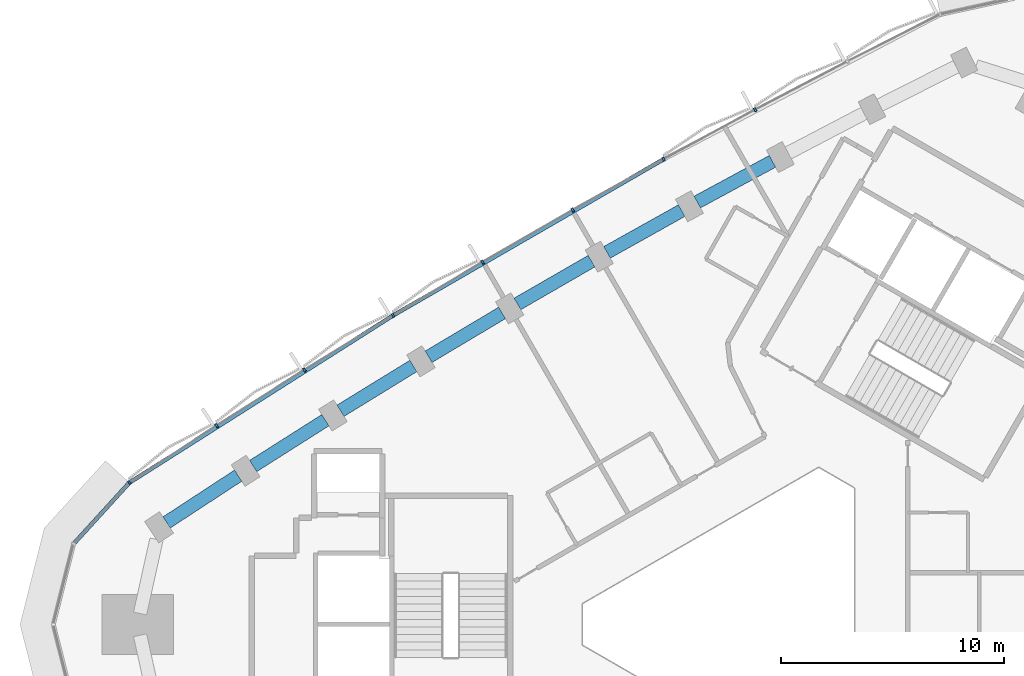
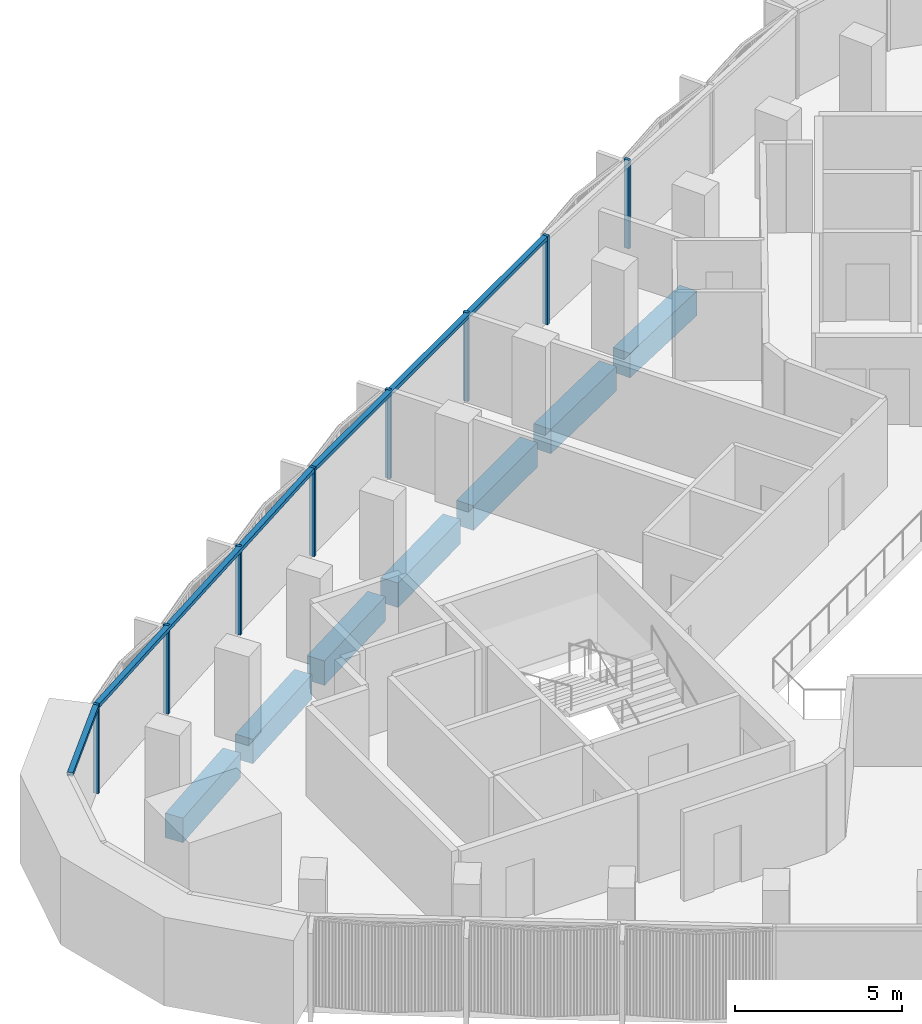
# One storey, part 4 of 13: 11 members, 7 beams, 1 element without a shape of its own.
"""IFC4 building model written with IfcOpenShell, lengths in metres."""

from ifc_helpers import new_model, si_unit, direction, frame, origin, origin_2d, place, context, subcontext, project, spatial, rectangle, extrude, material, material_profile, profile_set, type_object, element, aggregate, save


model = new_model("IFC4")

# Units and contexts
model_context = context("Model", 3, precision=1e-05, world=origin(), true_north=direction((0.0, 1.0)))
body_context = subcontext(model_context, "Body", "Model", "MODEL_VIEW")
ifc_project = project(units=[si_unit("LENGTHUNIT", "METRE"), si_unit("AREAUNIT", "SQUARE_METRE"), si_unit("VOLUMEUNIT", "CUBIC_METRE"), si_unit("PLANEANGLEUNIT", "RADIAN"), si_unit("MASSUNIT", "GRAM", prefix="KILO")], contexts=[model_context])

# Site, building, storey
site_placement = place(None, origin())
site = spatial("IfcSite", under=ifc_project, at=site_placement, CompositionType="ELEMENT")
building_placement = place(site_placement, origin())
building = spatial("IfcBuilding", under=site, at=building_placement, Name="Tamra Quay Hotel Tower", CompositionType="ELEMENT")
storey_placement = place(building_placement, frame((0.0, 0.0, 193.60009765625)))
storey = spatial("IfcBuildingStorey", under=building, at=storey_placement, Name="L48", CompositionType="ELEMENT", Elevation=193.60009765625)

# Curtain wall, members
ifc_material_1 = material(Name="Aluminium 6063 anodised dark grey", Category="aluminium")
curtain_wall_type = type_object("IfcCurtainWallType", Name="CW2 CURTAIN WALL", PredefinedType="NOTDEFINED", material=ifc_material_1)
curtain_wall_placement = place(storey_placement, origin())
curtain_wall = element("IfcCurtainWall", 1, at=curtain_wall_placement, inside=storey, type_object=curtain_wall_type, Name="CW2 north-west face L48", PredefinedType="NOTDEFINED")
ifc_material_profile_1 = material_profile(ifc_material_1, rectangle(XDim=0.179931640625, YDim=0.10009765625, at=origin_2d()), Name="MULLION 100X180")
ifc_profile_set_1 = profile_set([ifc_material_profile_1], Name="Aluminium 6063 anodised dark grey")
member_type_1 = type_object("IfcMemberType", Name="MULLION CW2 Z4", PredefinedType="MULLION", material=ifc_profile_set_1)
member_1_placement = place(storey_placement, frame((0.146240234375, 23.09619140625, 0.0), z_axis=(0.0, 0.0, 1.0), x_axis=(-0.469667944168, 0.882843147009, 0.0)))
member_1 = element("IfcMember", 2, at=member_1_placement, type_object=member_type_1, Name="CW2 mullion L48.NW.3", PredefinedType="MULLION", context=body_context, shape_type="SweptSolid", body=[
    extrude(rectangle(XDim=0.179931640625, YDim=0.10009765625, at=origin_2d()), origin(), (0.0, 0.0, 1.0), 3.25),
])
member_2_placement = place(storey_placement, frame((-3.961181640625, 20.87451171875, 0.0), z_axis=(0.0, 0.0, 1.0), x_axis=(-0.481860510023, 0.876247938017, 0.0)))
member_2 = element("IfcMember", 3, at=member_2_placement, type_object=member_type_1, Name="CW2 mullion L48.NW.4", PredefinedType="MULLION", context=body_context, shape_type="SweptSolid", body=[
    extrude(rectangle(XDim=0.179931640625, YDim=0.10009765625, at=origin_2d()), origin(), (0.0, 0.0, 1.0), 3.25),
])
member_3_placement = place(storey_placement, frame((-8.038818359375, 18.59521484375, 0.0), z_axis=(0.0, 0.0, 1.0), x_axis=(-0.49397478702, 0.869476227271, 0.0)))
member_3 = element("IfcMember", 4, at=member_3_placement, type_object=member_type_1, Name="CW2 mullion L48.NW.5", PredefinedType="MULLION", context=body_context, shape_type="SweptSolid", body=[
    extrude(rectangle(XDim=0.179931640625, YDim=0.10009765625, at=origin_2d()), origin(), (0.0, 0.0, 1.0), 3.25),
])
member_4_placement = place(storey_placement, frame((-12.08447265625, 16.25927734375, 0.0), z_axis=(0.0, 0.0, 1.0), x_axis=(-0.506001107293, 0.862532828023, 0.0)))
member_4 = element("IfcMember", 5, at=member_4_placement, type_object=member_type_1, Name="CW2 mullion L48.NW.6", PredefinedType="MULLION", context=body_context, shape_type="SweptSolid", body=[
    extrude(rectangle(XDim=0.179931640625, YDim=0.10009765625, at=origin_2d()), origin(), (0.0, 0.0, 1.0), 3.25),
])
member_5_placement = place(storey_placement, frame((-16.09716796875, 13.86767578125, 0.0), z_axis=(0.0, 0.0, 1.0), x_axis=(-0.517922719325, 0.85542741177, 0.0)))
member_5 = element("IfcMember", 6, at=member_5_placement, type_object=member_type_1, Name="CW2 mullion L48.NW.7", PredefinedType="MULLION", context=body_context, shape_type="SweptSolid", body=[
    extrude(rectangle(XDim=0.179931640625, YDim=0.10009765625, at=origin_2d()), origin(), (0.0, 0.0, 1.0), 3.25),
])
member_6_placement = place(storey_placement, frame((-20.074951171875, 11.42138671875, 0.0), z_axis=(0.0, 0.0, 1.0), x_axis=(-0.529730620783, 0.848165944497, 0.0)))
member_6 = element("IfcMember", 7, at=member_6_placement, type_object=member_type_1, Name="CW2 mullion L48.NW.8", PredefinedType="MULLION", context=body_context, shape_type="SweptSolid", body=[
    extrude(rectangle(XDim=0.179931640625, YDim=0.10009765625, at=origin_2d()), origin(), (0.0, 0.0, 1.0), 3.25),
])
member_7_placement = place(storey_placement, frame((-24.019775390625, 8.91943359375, 0.0), z_axis=(0.0, 0.0, 1.0), x_axis=(-0.541421307524, 0.840751430423, 0.0)))
member_7 = element("IfcMember", 8, at=member_7_placement, type_object=member_type_1, Name="CW2 mullion L48.NW.9", PredefinedType="MULLION", context=body_context, shape_type="SweptSolid", body=[
    extrude(rectangle(XDim=0.179931640625, YDim=0.10009765625, at=origin_2d()), origin(), (0.0, 0.0, 1.0), 3.25),
])
member_8_placement = place(storey_placement, frame((-27.928955078125, 6.36376953125, 0.0), z_axis=(0.0, 0.0, 1.0), x_axis=(-0.648381091282, 0.76131593998, 0.0)))
member_8 = element("IfcMember", 9, at=member_8_placement, type_object=member_type_1, Name="CW2 mullion L48.NW.10", PredefinedType="MULLION", context=body_context, shape_type="SweptSolid", body=[
    extrude(rectangle(XDim=0.179931640625, YDim=0.10009765625, at=origin_2d()), origin(), (0.0, 0.0, 1.0), 3.25),
])

# Beams
ifc_material_2 = material(Name="Concrete M60", Category="concrete")
ifc_material_profile_2 = material_profile(ifc_material_2, rectangle(XDim=0.60009765625, YDim=0.89990234375, at=origin_2d()), Name="SPANDREL BEAM RC 600x900")
ifc_profile_set_2 = profile_set([ifc_material_profile_2], Name="Concrete M60")
beam_type = type_object("IfcBeamType", Name="SPANDREL BEAM RC 600x900", PredefinedType="SPANDREL", material=ifc_profile_set_2)
beam_1_placement = place(storey_placement, frame((0.927490234375, 20.77783203125, -0.800048828125), z_axis=(-0.879589264525, -0.475733881211, 0.0), x_axis=(0.475733881211, -0.879589264525, 0.0)))
element("IfcBeam", 10, at=beam_1_placement, inside=storey, type_object=beam_type, Name="BM-SP4-013-L48", PredefinedType="SPANDREL", context=body_context, shape_type="SweptSolid", body=[
    extrude(rectangle(XDim=0.60009765625, YDim=0.89990234375, at=origin_2d()), origin(), (0.0, 0.0, 1.0), 3.838134765625),
])
for number, where, z_axis, x_axis, name in (
    (11, (-3.1494140625, 18.56640625, -0.800048828125), (-0.872890885292, -0.487915466422, 0.0), (0.487915466422, -0.872890885292, 0.0), "BM-SP4-014-L48"),
    (12, (-7.194580078125, 16.298828125, -0.800048828125), (-0.866022424722, -0.500005159851, 0.0), (0.500005159851, -0.866022424722, 0.0), "BM-SP4-015-L48"),
):
    element("IfcBeam", number, at=place(storey_placement, frame(where, z_axis=z_axis, x_axis=x_axis)), inside=storey, type_object=beam_type, Name=name, PredefinedType="SPANDREL", context=body_context, shape_type="SweptSolid", body=[
        extrude(rectangle(XDim=0.60009765625, YDim=0.89990234375, at=origin_2d()), origin(), (0.0, 0.0, 1.0), 3.83740234375),
    ])
beam_2_placement = place(storey_placement, frame((-11.2080078125, 13.975341796875, -0.800048828125), z_axis=(-0.858982487636, -0.512004966708, 0.0), x_axis=(0.512004966708, -0.858982487636, 0.0)))
element("IfcBeam", 13, at=beam_2_placement, inside=storey, type_object=beam_type, Name="BM-SP4-016-L48", PredefinedType="SPANDREL", context=body_context, shape_type="SweptSolid", body=[
    extrude(rectangle(XDim=0.60009765625, YDim=0.89990234375, at=origin_2d()), origin(), (0.0, 0.0, 1.0), 3.837646484375),
])
beam_3_placement = place(storey_placement, frame((-15.188720703125, 11.59619140625, -0.800048828125), z_axis=(-0.851817714835, -0.523838315411, 0.0), x_axis=(0.523838315411, -0.851817714835, 0.0)))
element("IfcBeam", 14, at=beam_3_placement, inside=storey, type_object=beam_type, Name="BM-SP4-017-L48", PredefinedType="SPANDREL", context=body_context, shape_type="SweptSolid", body=[
    extrude(rectangle(XDim=0.60009765625, YDim=0.89990234375, at=origin_2d()), origin(), (0.0, 0.0, 1.0), 3.837890625),
])
for number, where, z_axis, x_axis, name in (
    (15, (-19.136474609375, 9.162109375, -0.800048828125), (-0.844469978785, -0.535602889211, 0.0), (0.535602889211, -0.844469978785, 0.0), "BM-SP4-018-L48"),
    (16, (-23.0498046875, 6.673583984375, -0.800048828125), (-0.836969613974, -0.547249362983, 0.0), (0.547249362983, -0.836969613974, 0.0), "BM-SP4-019-L48"),
):
    element("IfcBeam", number, at=place(storey_placement, frame(where, z_axis=z_axis, x_axis=x_axis)), inside=storey, type_object=beam_type, Name=name, PredefinedType="SPANDREL", context=body_context, shape_type="SweptSolid", body=[
        extrude(rectangle(XDim=0.60009765625, YDim=0.89990234375, at=origin_2d()), origin(), (0.0, 0.0, 1.0), 3.837646484375),
    ])

# Member
ifc_material_profile_3 = material_profile(ifc_material_1, rectangle(XDim=0.179931640625, YDim=0.139892578125, at=origin_2d()), Name="TRANSOM 180X140")
ifc_profile_set_3 = profile_set([ifc_material_profile_3], Name="Aluminium 6063 anodised dark grey")
member_type_2 = type_object("IfcMemberType", Name="TRANSOM CW2 Z4", PredefinedType="USERDEFINED", material=ifc_profile_set_3)
member_9_placement = place(storey_placement, frame((-4.0048828125, 20.85009765625, 3.179931640625), z_axis=(-0.866021948021, -0.50000598551, 0.0), x_axis=(0.50000598551, -0.866021948021, 0.0)))
member_9 = element("IfcMember", 17, at=member_9_placement, type_object=member_type_2, Name="CW2 transom L48.NW.4", ObjectType="TRANSOM", PredefinedType="USERDEFINED", context=body_context, shape_type="SweptSolid", body=[
    extrude(rectangle(XDim=0.179931640625, YDim=0.139892578125, at=origin_2d()), origin(), (0.0, 0.0, 1.0), 13.913330078125),
])

member_10_placement = place(storey_placement, frame((-16.1396484375, 13.841552734375, 3.179931640625), z_axis=(-0.844483603588, -0.535581406764, 0.0), x_axis=(0.535581406764, -0.844483603588, 0.0)))
member_10 = element("IfcMember", 18, at=member_10_placement, type_object=member_type_2, Name="CW2 transom L48.NW.7", ObjectType="TRANSOM", PredefinedType="USERDEFINED", context=body_context, shape_type="SweptSolid", body=[
    extrude(rectangle(XDim=0.179931640625, YDim=0.139892578125, at=origin_2d()), origin(), (0.0, 0.0, 1.0), 13.910888671875),
])

member_11_placement = place(storey_placement, frame((-27.962646484375, 6.32666015625, 3.179931640625), z_axis=(-0.673497359226, -0.739189628658, 0.0), x_axis=(0.739189628658, -0.673497359226, 0.0)))
member_11 = element("IfcMember", 19, at=member_11_placement, type_object=member_type_2, Name="CW2 transom L48.NW.10", ObjectType="TRANSOM", PredefinedType="USERDEFINED", context=body_context, shape_type="SweptSolid", body=[
    extrude(rectangle(XDim=0.179931640625, YDim=0.139892578125, at=origin_2d()), origin(), (0.0, 0.0, 1.0), 3.62353515625),
])

aggregate(curtain_wall, [member_1, member_2, member_9, member_3, member_4, member_5, member_10, member_6, member_7, member_8, member_11])

save(model, "model.ifc")
